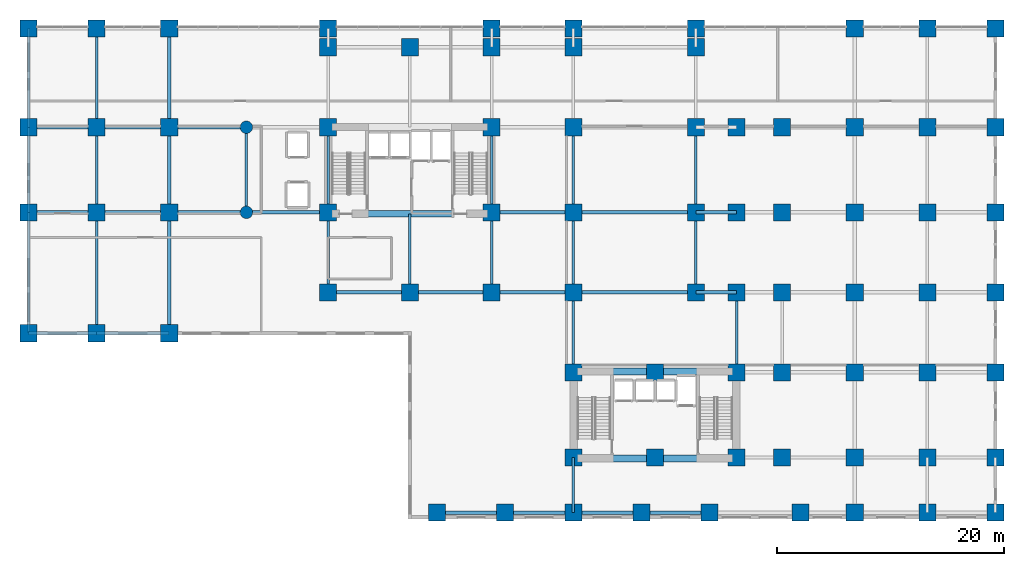
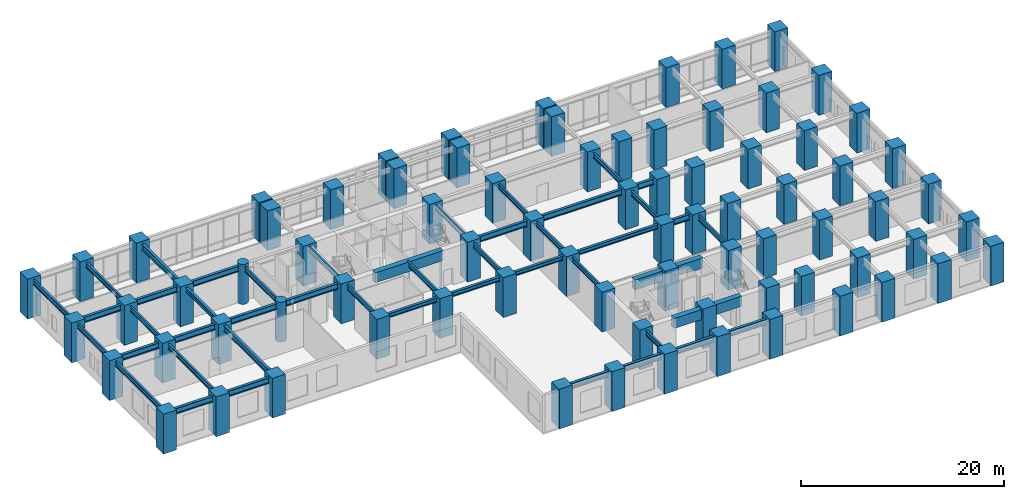
# One storey, part 1 of 22: 77 columns, 46 beams.
"""IFC4 building model written with IfcOpenShell, lengths in metres."""

from ifc_helpers import new_model, si_unit, direction, frame, origin, origin_2d, place, context, subcontext, project, spatial, rectangle, circle, i_section, extrude, source, transform, mapped, material, material_profile, profile_set, type_object, element, save


model = new_model("IFC4")

# Units and contexts
model_context = context("Model", 3, precision=1e-05, world=origin(), true_north=direction((0.0, 1.0)))
body_context = subcontext(model_context, "Body", "Model", "MODEL_VIEW")
ifc_project = project(units=[si_unit("LENGTHUNIT", "METRE"), si_unit("AREAUNIT", "SQUARE_METRE"), si_unit("VOLUMEUNIT", "CUBIC_METRE"), si_unit("PLANEANGLEUNIT", "RADIAN"), si_unit("MASSUNIT", "GRAM", prefix="KILO")], contexts=[model_context])

# Site, building, storey
site_placement = place(None, origin())
site = spatial("IfcSite", under=ifc_project, at=site_placement, CompositionType="ELEMENT")
building_placement = place(site_placement, origin())
building = spatial("IfcBuilding", under=site, at=building_placement, Name="Kaliganga Portal Commons", CompositionType="ELEMENT")
storey_placement = place(building_placement, frame((0.0, 0.0, 5.39990234375)))
storey = spatial("IfcBuildingStorey", under=building, at=storey_placement, Name="L01", CompositionType="ELEMENT", Elevation=5.39990234375)

# Columns
ifc_material_1 = material(Name="Concrete C60/75", Category="concrete")
ifc_material_profile_1 = material_profile(ifc_material_1, circle(Radius=0.550048828125, at=origin_2d()), Name="RC COL D1100")
ifc_profile_set_1 = profile_set([ifc_material_profile_1], Name="Concrete C60/75")
column_type_1 = type_object("IfcColumnType", Name="COL-POD-CIRC", PredefinedType="COLUMN", material=ifc_profile_set_1)
shared_shape_1 = source(origin(), body_context, "Body", "SweptSolid", [
    extrude(circle(Radius=0.550048828125, at=origin_2d()), origin(), (0.0, 0.0, 1.0), 4.800048828125),
])
for number, where, z_axis, x_axis, name in (
    (1, (7.199951171875, 28.64990234375, 0.0), (0.0, 0.0, 1.0), (1.0, 0.0, 0.0), "Column MC-07 L01"),
    (2, (7.199951171875, 36.14990234375, 0.0), (0.0, 0.0, 1.0), (1.0, 0.0, 0.0), "Column MC-07 L01"),
):
    element("IfcColumn", number, at=place(storey_placement, frame(where, z_axis=z_axis, x_axis=x_axis)), inside=storey, type_object=column_type_1, Name=name, PredefinedType="COLUMN", context=body_context, shape_type="MappedRepresentation", body=[
        mapped(shared_shape_1, transform((0.0, 0.0, 0.0), x_axis=(1.0, 0.0, 0.0), y_axis=(0.0, 1.0, 0.0), z_axis=(0.0, 0.0, 1.0), scale=1.0)),
    ])
ifc_material_2 = material(Name="Concrete C70/85", Category="concrete")
ifc_material_profile_2 = material_profile(ifc_material_2, rectangle(XDim=1.5, YDim=1.5, at=origin_2d()), Name="RC 1500x1500")
ifc_profile_set_2 = profile_set([ifc_material_profile_2], Name="Concrete C70/85")
column_type_2 = type_object("IfcColumnType", Name="COL-MEGA-Z0", PredefinedType="COLUMN", material=ifc_profile_set_2)
shared_shape_2 = source(origin(), body_context, "Body", "SweptSolid", [
    extrude(rectangle(XDim=1.5, YDim=1.5, at=origin_2d()), origin(), (0.0, 0.0, 1.0), 4.800048828125),
])
for number, where, z_axis, x_axis, name in (
    (3, (14.39990234375, 21.60009765625, 0.0), (0.0, 0.0, 1.0), (1.0, 0.0, 0.0), "Column MC-01 L01"),
    (4, (14.39990234375, 28.64990234375, 0.0), (0.0, 0.0, 1.0), (1.0, 0.0, 0.0), "Column MC-01 L01"),
    (5, (14.39990234375, 36.14990234375, 0.0), (0.0, 0.0, 1.0), (1.0, 0.0, 0.0), "Column MC-01 L01"),
    (6, (14.39990234375, 43.199951171875, 0.0), (0.0, 0.0, 1.0), (1.0, 0.0, 0.0), "Column MC-01 L01"),
    (7, (21.60009765625, 21.60009765625, 0.0), (0.0, 0.0, 1.0), (1.0, 0.0, 0.0), "Column MC-01 L01"),
    (8, (21.60009765625, 43.199951171875, 0.0), (0.0, 0.0, 1.0), (1.0, 0.0, 0.0), "Column MC-01 L01"),
    (9, (28.800048828125, 21.60009765625, 0.0), (0.0, 0.0, 1.0), (1.0, 0.0, 0.0), "Column MC-01 L01"),
    (10, (28.800048828125, 28.64990234375, 0.0), (0.0, 0.0, 1.0), (1.0, 0.0, 0.0), "Column MC-01 L01"),
    (11, (28.800048828125, 36.14990234375, 0.0), (0.0, 0.0, 1.0), (1.0, 0.0, 0.0), "Column MC-01 L01"),
    (12, (28.800048828125, 43.199951171875, 0.0), (0.0, 0.0, 1.0), (1.0, 0.0, 0.0), "Column MC-01 L01"),
    (13, (36.0, 21.60009765625, 0.0), (0.0, 0.0, 1.0), (1.0, 0.0, 0.0), "Column MC-01 L01"),
    (14, (36.0, 43.199951171875, 0.0), (0.0, 0.0, 1.0), (1.0, 0.0, 0.0), "Column MC-01 L01"),
    (15, (36.0, 28.64990234375, 0.0), (0.0, 0.0, 1.0), (1.0, 0.0, 0.0), "Column MC-01 L01"),
    (16, (36.0, 36.14990234375, 0.0), (0.0, 0.0, 1.0), (1.0, 0.0, 0.0), "Column MC-01 L01"),
    (17, (46.800048828125, 21.60009765625, 0.0), (0.0, 0.0, 1.0), (1.0, 0.0, 0.0), "Column MC-01 L01"),
    (18, (46.800048828125, 28.64990234375, 0.0), (0.0, 0.0, 1.0), (1.0, 0.0, 0.0), "Column MC-01 L01"),
    (19, (46.800048828125, 36.14990234375, 0.0), (0.0, 0.0, 1.0), (1.0, 0.0, 0.0), "Column MC-01 L01"),
    (20, (46.800048828125, 43.199951171875, 0.0), (0.0, 0.0, 1.0), (1.0, 0.0, 0.0), "Column MC-01 L01"),
    (21, (36.0, 7.050048828125, 0.0), (0.0, 0.0, 1.0), (1.0, 0.0, 0.0), "Column MC-01 L01"),
    (22, (36.0, 14.550048828125, 0.0), (0.0, 0.0, 1.0), (1.0, 0.0, 0.0), "Column MC-01 L01"),
    (23, (43.199951171875, 7.050048828125, 0.0), (0.0, 0.0, 1.0), (1.0, 0.0, 0.0), "Column MC-01 L01"),
    (24, (43.199951171875, 14.550048828125, 0.0), (0.0, 0.0, 1.0), (1.0, 0.0, 0.0), "Column MC-01 L01"),
    (25, (50.39990234375, 7.050048828125, 0.0), (0.0, 0.0, 1.0), (1.0, 0.0, 0.0), "Column MC-01 L01"),
    (26, (50.39990234375, 14.550048828125, 0.0), (0.0, 0.0, 1.0), (1.0, 0.0, 0.0), "Column MC-01 L01"),
    (27, (50.39990234375, 21.60009765625, 0.0), (0.0, 0.0, 1.0), (1.0, 0.0, 0.0), "Column MC-01 L01"),
    (28, (50.39990234375, 28.64990234375, 0.0), (0.0, 0.0, 1.0), (1.0, 0.0, 0.0), "Column MC-01 L01"),
    (29, (50.39990234375, 36.14990234375, 0.0), (0.0, 0.0, 1.0), (1.0, 0.0, 0.0), "Column MC-01 L01"),
    (30, (54.39990234375, 7.050048828125, 0.0), (0.0, 0.0, 1.0), (1.0, 0.0, 0.0), "Column MC-01 L01"),
    (31, (54.39990234375, 14.550048828125, 0.0), (0.0, 0.0, 1.0), (1.0, 0.0, 0.0), "Column MC-01 L01"),
    (32, (54.39990234375, 21.60009765625, 0.0), (0.0, 0.0, 1.0), (1.0, 0.0, 0.0), "Column MC-01 L01"),
    (33, (54.39990234375, 28.64990234375, 0.0), (0.0, 0.0, 1.0), (1.0, 0.0, 0.0), "Column MC-01 L01"),
    (34, (54.39990234375, 36.14990234375, 0.0), (0.0, 0.0, 1.0), (1.0, 0.0, 0.0), "Column MC-01 L01"),
    (35, (0.39990234375, 18.0, 0.0), (0.0, 0.0, 1.0), (1.0, 0.0, 0.0), "Column MC-01 L01"),
    (36, (0.39990234375, 28.64990234375, 0.0), (0.0, 0.0, 1.0), (1.0, 0.0, 0.0), "Column MC-01 L01"),
    (37, (0.39990234375, 36.14990234375, 0.0), (0.0, 0.0, 1.0), (1.0, 0.0, 0.0), "Column MC-01 L01"),
    (38, (0.39990234375, 44.85009765625, 0.0), (0.0, 0.0, 1.0), (1.0, 0.0, 0.0), "Column MC-01 L01"),
    (39, (14.39990234375, 44.85009765625, 0.0), (0.0, 0.0, 1.0), (1.0, 0.0, 0.0), "Column MC-01 L01"),
    (40, (28.800048828125, 44.85009765625, 0.0), (0.0, 0.0, 1.0), (1.0, 0.0, 0.0), "Column MC-01 L01"),
    (41, (36.0, 44.85009765625, 0.0), (0.0, 0.0, 1.0), (1.0, 0.0, 0.0), "Column MC-01 L01"),
    (42, (46.800048828125, 44.85009765625, 0.0), (0.0, 0.0, 1.0), (1.0, 0.0, 0.0), "Column MC-01 L01"),
    (43, (60.800048828125, 44.85009765625, 0.0), (0.0, 0.0, 1.0), (1.0, 0.0, 0.0), "Column MC-01 L01"),
    (44, (60.800048828125, 36.14990234375, 0.0), (0.0, 0.0, 1.0), (1.0, 0.0, 0.0), "Column MC-01 L01"),
    (45, (60.800048828125, 28.64990234375, 0.0), (0.0, 0.0, 1.0), (1.0, 0.0, 0.0), "Column MC-01 L01"),
    (46, (60.800048828125, 21.60009765625, 0.0), (0.0, 0.0, 1.0), (1.0, 0.0, 0.0), "Column MC-01 L01"),
    (47, (60.800048828125, 14.550048828125, 0.0), (0.0, 0.0, 1.0), (1.0, 0.0, 0.0), "Column MC-01 L01"),
    (48, (60.800048828125, 7.050048828125, 0.0), (0.0, 0.0, 1.0), (1.0, 0.0, 0.0), "Column MC-01 L01"),
    (49, (60.800048828125, 2.199951171875, 0.0), (0.0, 0.0, 1.0), (1.0, 0.0, 0.0), "Column MC-01 L01"),
    (50, (56.0, 2.199951171875, 0.0), (0.0, 0.0, 1.0), (1.0, 0.0, 0.0), "Column MC-01 L01"),
    (51, (48.0, 2.199951171875, 0.0), (0.0, 0.0, 1.0), (1.0, 0.0, 0.0), "Column MC-01 L01"),
    (52, (42.0, 2.199951171875, 0.0), (0.0, 0.0, 1.0), (1.0, 0.0, 0.0), "Column MC-01 L01"),
    (53, (36.0, 2.199951171875, 0.0), (0.0, 0.0, 1.0), (1.0, 0.0, 0.0), "Column MC-01 L01"),
    (54, (30.0, 2.199951171875, 0.0), (0.0, 0.0, 1.0), (1.0, 0.0, 0.0), "Column MC-01 L01"),
    (55, (24.0, 2.199951171875, 0.0), (0.0, 0.0, 1.0), (1.0, 0.0, 0.0), "Column MC-01 L01"),
    (56, (-12.0, 18.0, 0.0), (0.0, 0.0, 1.0), (1.0, 0.0, 0.0), "Column MC-01 L01"),
    (57, (-12.0, 28.64990234375, 0.0), (0.0, 0.0, 1.0), (1.0, 0.0, 0.0), "Column MC-01 L01"),
    (58, (-12.0, 36.14990234375, 0.0), (0.0, 0.0, 1.0), (1.0, 0.0, 0.0), "Column MC-01 L01"),
    (59, (-12.0, 44.85009765625, 0.0), (0.0, 0.0, 1.0), (1.0, 0.0, 0.0), "Column MC-01 L01"),
    (60, (-6.0, 18.0, 0.0), (0.0, 0.0, 1.0), (1.0, 0.0, 0.0), "Column MC-01 L01"),
    (61, (-6.0, 28.64990234375, 0.0), (0.0, 0.0, 1.0), (1.0, 0.0, 0.0), "Column MC-01 L01"),
    (62, (-6.0, 36.14990234375, 0.0), (0.0, 0.0, 1.0), (1.0, 0.0, 0.0), "Column MC-01 L01"),
    (63, (-6.0, 44.85009765625, 0.0), (0.0, 0.0, 1.0), (1.0, 0.0, 0.0), "Column MC-01 L01"),
    (64, (67.199951171875, 2.199951171875, 0.0), (0.0, 0.0, 1.0), (1.0, 0.0, 0.0), "Column MC-01 L01"),
    (65, (67.199951171875, 7.050048828125, 0.0), (0.0, 0.0, 1.0), (1.0, 0.0, 0.0), "Column MC-01 L01"),
    (66, (67.199951171875, 14.550048828125, 0.0), (0.0, 0.0, 1.0), (1.0, 0.0, 0.0), "Column MC-01 L01"),
    (67, (67.199951171875, 21.60009765625, 0.0), (0.0, 0.0, 1.0), (1.0, 0.0, 0.0), "Column MC-01 L01"),
    (68, (67.199951171875, 28.64990234375, 0.0), (0.0, 0.0, 1.0), (1.0, 0.0, 0.0), "Column MC-01 L01"),
    (69, (67.199951171875, 36.14990234375, 0.0), (0.0, 0.0, 1.0), (1.0, 0.0, 0.0), "Column MC-01 L01"),
    (70, (67.199951171875, 44.85009765625, 0.0), (0.0, 0.0, 1.0), (1.0, 0.0, 0.0), "Column MC-01 L01"),
    (71, (73.199951171875, 2.199951171875, 0.0), (0.0, 0.0, 1.0), (1.0, 0.0, 0.0), "Column MC-01 L01"),
    (72, (73.199951171875, 7.050048828125, 0.0), (0.0, 0.0, 1.0), (1.0, 0.0, 0.0), "Column MC-01 L01"),
    (73, (73.199951171875, 14.550048828125, 0.0), (0.0, 0.0, 1.0), (1.0, 0.0, 0.0), "Column MC-01 L01"),
    (74, (73.199951171875, 21.60009765625, 0.0), (0.0, 0.0, 1.0), (1.0, 0.0, 0.0), "Column MC-01 L01"),
    (75, (73.199951171875, 28.64990234375, 0.0), (0.0, 0.0, 1.0), (1.0, 0.0, 0.0), "Column MC-01 L01"),
    (76, (73.199951171875, 36.14990234375, 0.0), (0.0, 0.0, 1.0), (1.0, 0.0, 0.0), "Column MC-01 L01"),
    (77, (73.199951171875, 44.85009765625, 0.0), (0.0, 0.0, 1.0), (1.0, 0.0, 0.0), "Column MC-01 L01"),
):
    element("IfcColumn", number, at=place(storey_placement, frame(where, z_axis=z_axis, x_axis=x_axis)), inside=storey, type_object=column_type_2, Name=name, PredefinedType="COLUMN", context=body_context, shape_type="MappedRepresentation", body=[
        mapped(shared_shape_2, transform((0.0, 0.0, 0.0), x_axis=(1.0, 0.0, 0.0), y_axis=(0.0, 1.0, 0.0), z_axis=(0.0, 0.0, 1.0), scale=1.0)),
    ])

# Beams
ifc_material_profile_3 = material_profile(ifc_material_1, rectangle(XDim=0.60009765625, YDim=1.199951171875, at=origin_2d()), Name="RC 600x1200")
ifc_profile_set_3 = profile_set([ifc_material_profile_3], Name="Concrete C60/75")
beam_type_1 = type_object("IfcBeamType", Name="BM-CPL-1200", PredefinedType="LINTEL", material=ifc_profile_set_3)
shared_shape_3 = source(origin(), body_context, "Body", "SweptSolid", [
    extrude(rectangle(XDim=0.60009765625, YDim=1.199951171875, at=origin_2d()), origin(), (0.0, 0.0, 1.0), 7.739990234375),
])
for number, where, z_axis, x_axis, name in (
    (78, (17.72998046875, 28.52490234375, 3.920166015625), (1.0, 0.0, 0.0), (0.0, 1.0, 0.0), "BM CPL COREA L01 S"),
    (79, (39.330078125, 6.97509765625, 3.920166015625), (1.0, 0.0, 0.0), (0.0, 1.0, 0.0), "BM CPL COREB L01 S"),
    (80, (39.330078125, 14.625, 3.920166015625), (1.0, 0.0, 0.0), (0.0, 1.0, 0.0), "BM CPL COREB L01 N"),
):
    element("IfcBeam", number, at=place(storey_placement, frame(where, z_axis=z_axis, x_axis=x_axis)), inside=storey, type_object=beam_type_1, Name=name, PredefinedType="LINTEL", context=body_context, shape_type="MappedRepresentation", body=[
        mapped(shared_shape_3, transform((0.0, 0.0, 0.0), x_axis=(1.0, 0.0, 0.0), y_axis=(0.0, 1.0, 0.0), z_axis=(0.0, 0.0, 1.0), scale=1.0)),
    ])
ifc_material_3 = material(Name="Structural steel S355J2", Category="steel")
ifc_material_profile_4 = material_profile(ifc_material_3, i_section(OverallWidth=0.300048828125, OverallDepth=0.699951171875, WebThickness=0.01708984375, FlangeThickness=0.031982421875, FilletRadius=0.027099609375, at=origin_2d()), Name="HE 700 B")
ifc_profile_set_4 = profile_set([ifc_material_profile_4], Name="Structural steel S355J2 wide-flange")
beam_type_2 = type_object("IfcBeamType", Name="BM-GIRD-700", PredefinedType="USERDEFINED", material=ifc_profile_set_4)
shared_shape_4 = source(origin(), body_context, "Body", "SweptSolid", [
    extrude(i_section(OverallWidth=0.300048828125, OverallDepth=0.699951171875, WebThickness=0.01708984375, FlangeThickness=0.031982421875, FilletRadius=0.027099609375, at=origin_2d()), origin(), (0.0, 0.0, 1.0), 7.199951171875),
])
for number, where, z_axis, x_axis, name in (
    (81, (7.199951171875, 28.64990234375, 4.170166015625), (1.0, 0.0, 0.0), (0.0, 1.0, 0.0), "BM G L01 WAH_S 2"),
    (82, (28.800048828125, 28.64990234375, 4.170166015625), (1.0, 0.0, 0.0), (0.0, 1.0, 0.0), "BM G L01 WAE_S 1"),
):
    element("IfcBeam", number, at=place(storey_placement, frame(where, z_axis=z_axis, x_axis=x_axis)), inside=storey, type_object=beam_type_2, Name=name, ObjectType="GIRDER", PredefinedType="USERDEFINED", context=body_context, shape_type="MappedRepresentation", body=[
        mapped(shared_shape_4, transform((0.0, 0.0, 0.0), x_axis=(1.0, 0.0, 0.0), y_axis=(0.0, 1.0, 0.0), z_axis=(0.0, 0.0, 1.0), scale=1.0)),
    ])
shared_shape_5 = source(origin(), body_context, "Body", "SweptSolid", [
    extrude(i_section(OverallWidth=0.300048828125, OverallDepth=0.699951171875, WebThickness=0.01708984375, FlangeThickness=0.031982421875, FilletRadius=0.027099609375, at=origin_2d()), origin(), (0.0, 0.0, 1.0), 10.800048828125),
])
beam_1_placement = place(storey_placement, frame((36.0, 28.64990234375, 4.170166015625), z_axis=(1.0, 0.0, 0.0), x_axis=(0.0, 1.0, 0.0)))
element("IfcBeam", 83, at=beam_1_placement, inside=storey, type_object=beam_type_2, Name="BM G L01 WAE_S 2", ObjectType="GIRDER", PredefinedType="USERDEFINED", context=body_context, shape_type="MappedRepresentation", body=[
    mapped(shared_shape_5, transform((0.0, 0.0, 0.0), x_axis=(1.0, 0.0, 0.0), y_axis=(0.0, 1.0, 0.0), z_axis=(0.0, 0.0, 1.0), scale=1.0)),
])
shared_shape_6 = source(origin(), body_context, "Body", "SweptSolid", [
    extrude(i_section(OverallWidth=0.300048828125, OverallDepth=0.699951171875, WebThickness=0.01708984375, FlangeThickness=0.031982421875, FilletRadius=0.027099609375, at=origin_2d()), origin(), (0.0, 0.0, 1.0), 6.800048828125),
])
for number, where, z_axis, x_axis, name in (
    (84, (0.39990234375, 28.64990234375, 4.170166015625), (1.0, 0.0, 0.0), (0.0, 1.0, 0.0), "BM G L01 WAH_S 1"),
    (85, (0.39990234375, 36.14990234375, 4.170166015625), (1.0, 0.0, 0.0), (0.0, 1.0, 0.0), "BM G L01 WAH_N 1"),
):
    element("IfcBeam", number, at=place(storey_placement, frame(where, z_axis=z_axis, x_axis=x_axis)), inside=storey, type_object=beam_type_2, Name=name, ObjectType="GIRDER", PredefinedType="USERDEFINED", context=body_context, shape_type="MappedRepresentation", body=[
        mapped(shared_shape_6, transform((0.0, 0.0, 0.0), x_axis=(1.0, 0.0, 0.0), y_axis=(0.0, 1.0, 0.0), z_axis=(0.0, 0.0, 1.0), scale=1.0)),
    ])
ifc_material_profile_5 = material_profile(ifc_material_3, i_section(OverallWidth=0.219970703125, OverallDepth=0.60009765625, WebThickness=0.011962890625, FlangeThickness=0.01904296875, FilletRadius=0.02392578125, at=origin_2d()), Name="IPE 600")
ifc_profile_set_5 = profile_set([ifc_material_profile_5], Name="Structural steel S355J2 wide-flange")
beam_type_3 = type_object("IfcBeamType", Name="BM-FLR-600", PredefinedType="BEAM", material=ifc_profile_set_5)
shared_shape_7 = source(origin(), body_context, "Body", "SweptSolid", [
    extrude(i_section(OverallWidth=0.219970703125, OverallDepth=0.60009765625, WebThickness=0.011962890625, FlangeThickness=0.01904296875, FilletRadius=0.02392578125, at=origin_2d()), origin(), (0.0, 0.0, 1.0), 7.5),
])
for number, where, z_axis, x_axis, name in (
    (86, (7.199951171875, 28.64990234375, 4.22021484375), (0.0, 1.0, 0.0), (-1.0, 0.0, 0.0), "BM G L01 AW72"),
    (87, (14.39990234375, 28.64990234375, 4.22021484375), (0.0, 1.0, 0.0), (-1.0, 0.0, 0.0), "BM G L01 AM144"),
    (88, (28.800048828125, 28.64990234375, 4.22021484375), (0.0, 1.0, 0.0), (-1.0, 0.0, 0.0), "BM G L01 AM288"),
    (89, (36.0, 28.64990234375, 4.22021484375), (0.0, 1.0, 0.0), (-1.0, 0.0, 0.0), "BM G L01 AM360"),
    (90, (46.800048828125, 28.64990234375, 4.22021484375), (0.0, 1.0, 0.0), (-1.0, 0.0, 0.0), "BM G L01 AM468"),
    (91, (-12.0, 28.64990234375, 4.22021484375), (0.0, 1.0, 0.0), (-1.0, 0.0, 0.0), "BM PODW L01 X12 2"),
    (92, (-6.0, 28.64990234375, 4.22021484375), (0.0, 1.0, 0.0), (-1.0, 0.0, 0.0), "BM PODW L01 X6 2"),
):
    element("IfcBeam", number, at=place(storey_placement, frame(where, z_axis=z_axis, x_axis=x_axis)), inside=storey, type_object=beam_type_3, Name=name, PredefinedType="BEAM", context=body_context, shape_type="MappedRepresentation", body=[
        mapped(shared_shape_7, transform((0.0, 0.0, 0.0), x_axis=(1.0, 0.0, 0.0), y_axis=(0.0, 1.0, 0.0), z_axis=(0.0, 0.0, 1.0), scale=1.0)),
    ])
shared_shape_8 = source(origin(), body_context, "Body", "SweptSolid", [
    extrude(i_section(OverallWidth=0.219970703125, OverallDepth=0.60009765625, WebThickness=0.011962890625, FlangeThickness=0.01904296875, FilletRadius=0.02392578125, at=origin_2d()), origin(), (0.0, 0.0, 1.0), 7.050048828125),
])
for number, where, z_axis, x_axis, name in (
    (93, (36.0, 14.550048828125, 4.22021484375), (0.0, 1.0, 0.0), (-1.0, 0.0, 0.0), "BM G L01 BNK360"),
    (94, (50.39990234375, 14.550048828125, 4.22021484375), (0.0, 1.0, 0.0), (-1.0, 0.0, 0.0), "BM G L01 BNK504"),
):
    element("IfcBeam", number, at=place(storey_placement, frame(where, z_axis=z_axis, x_axis=x_axis)), inside=storey, type_object=beam_type_3, Name=name, PredefinedType="BEAM", context=body_context, shape_type="MappedRepresentation", body=[
        mapped(shared_shape_8, transform((0.0, 0.0, 0.0), x_axis=(1.0, 0.0, 0.0), y_axis=(0.0, 1.0, 0.0), z_axis=(0.0, 0.0, 1.0), scale=1.0)),
    ])
shared_shape_9 = source(origin(), body_context, "Body", "SweptSolid", [
    extrude(i_section(OverallWidth=0.219970703125, OverallDepth=0.60009765625, WebThickness=0.011962890625, FlangeThickness=0.01904296875, FilletRadius=0.02392578125, at=origin_2d()), origin(), (0.0, 0.0, 1.0), 7.0498046875),
])
for number, where, z_axis, x_axis, name in (
    (95, (14.39990234375, 21.60009765625, 4.22021484375), (0.0, 1.0, 0.0), (-1.0, 0.0, 0.0), "BM G L01 AS144"),
    (96, (28.800048828125, 21.60009765625, 4.22021484375), (0.0, 1.0, 0.0), (-1.0, 0.0, 0.0), "BM G L01 AS288"),
    (97, (36.0, 21.60009765625, 4.22021484375), (0.0, 1.0, 0.0), (-1.0, 0.0, 0.0), "BM G L01 AS360"),
    (98, (46.800048828125, 21.60009765625, 4.22021484375), (0.0, 1.0, 0.0), (-1.0, 0.0, 0.0), "BM G L01 AS468"),
):
    element("IfcBeam", number, at=place(storey_placement, frame(where, z_axis=z_axis, x_axis=x_axis)), inside=storey, type_object=beam_type_3, Name=name, PredefinedType="BEAM", context=body_context, shape_type="MappedRepresentation", body=[
        mapped(shared_shape_9, transform((0.0, 0.0, 0.0), x_axis=(1.0, 0.0, 0.0), y_axis=(0.0, 1.0, 0.0), z_axis=(0.0, 0.0, 1.0), scale=1.0)),
    ])
shared_shape_10 = source(origin(), body_context, "Body", "SweptSolid", [
    extrude(i_section(OverallWidth=0.219970703125, OverallDepth=0.60009765625, WebThickness=0.011962890625, FlangeThickness=0.01904296875, FilletRadius=0.02392578125, at=origin_2d()), origin(), (0.0, 0.0, 1.0), 6.9248046875),
])
beam_2_placement = place(storey_placement, frame((21.60009765625, 21.60009765625, 4.22021484375), z_axis=(0.0, 1.0, 0.0), x_axis=(-1.0, 0.0, 0.0)))
element("IfcBeam", 99, at=beam_2_placement, inside=storey, type_object=beam_type_3, Name="BM G L01 AS216", PredefinedType="BEAM", context=body_context, shape_type="MappedRepresentation", body=[
    mapped(shared_shape_10, transform((0.0, 0.0, 0.0), x_axis=(1.0, 0.0, 0.0), y_axis=(0.0, 1.0, 0.0), z_axis=(0.0, 0.0, 1.0), scale=1.0)),
])
shared_shape_11 = source(origin(), body_context, "Body", "SweptSolid", [
    extrude(i_section(OverallWidth=0.300048828125, OverallDepth=0.699951171875, WebThickness=0.01708984375, FlangeThickness=0.031982421875, FilletRadius=0.027099609375, at=origin_2d()), origin(), (0.0, 0.0, 1.0), 3.599853515625),
])
for number, where, z_axis, x_axis, name in (
    (100, (46.800048828125, 21.60009765625, 4.170166015625), (1.0, 0.0, 0.0), (0.0, 1.0, 0.0), "BM G L01 BKE216 1"),
    (101, (46.800048828125, 28.64990234375, 4.170166015625), (1.0, 0.0, 0.0), (0.0, 1.0, 0.0), "BM G L01 BKE286 1"),
):
    element("IfcBeam", number, at=place(storey_placement, frame(where, z_axis=z_axis, x_axis=x_axis)), inside=storey, type_object=beam_type_2, Name=name, ObjectType="GIRDER", PredefinedType="USERDEFINED", context=body_context, shape_type="MappedRepresentation", body=[
        mapped(shared_shape_11, transform((0.0, 0.0, 0.0), x_axis=(1.0, 0.0, 0.0), y_axis=(0.0, 1.0, 0.0), z_axis=(0.0, 0.0, 1.0), scale=1.0)),
    ])
shared_shape_12 = source(origin(), body_context, "Body", "SweptSolid", [
    extrude(i_section(OverallWidth=0.300048828125, OverallDepth=0.699951171875, WebThickness=0.01708984375, FlangeThickness=0.031982421875, FilletRadius=0.027099609375, at=origin_2d()), origin(), (0.0, 0.0, 1.0), 10.64990234375),
])
beam_3_placement = place(storey_placement, frame((0.39990234375, 18.0, 4.170166015625), z_axis=(0.0, 1.0, 0.0), x_axis=(-1.0, 0.0, 0.0)))
element("IfcBeam", 102, at=beam_3_placement, inside=storey, type_object=beam_type_2, Name="BM PODP L01 W04 1", ObjectType="GIRDER", PredefinedType="USERDEFINED", context=body_context, shape_type="MappedRepresentation", body=[
    mapped(shared_shape_12, transform((0.0, 0.0, 0.0), x_axis=(1.0, 0.0, 0.0), y_axis=(0.0, 1.0, 0.0), z_axis=(0.0, 0.0, 1.0), scale=1.0)),
])
shared_shape_13 = source(origin(), body_context, "Body", "SweptSolid", [
    extrude(i_section(OverallWidth=0.300048828125, OverallDepth=0.699951171875, WebThickness=0.01708984375, FlangeThickness=0.031982421875, FilletRadius=0.027099609375, at=origin_2d()), origin(), (0.0, 0.0, 1.0), 8.7001953125),
])
beam_4_placement = place(storey_placement, frame((0.39990234375, 36.14990234375, 4.170166015625), z_axis=(0.0, 1.0, 0.0), x_axis=(-1.0, 0.0, 0.0)))
element("IfcBeam", 103, at=beam_4_placement, inside=storey, type_object=beam_type_2, Name="BM PODP L01 W04 3", ObjectType="GIRDER", PredefinedType="USERDEFINED", context=body_context, shape_type="MappedRepresentation", body=[
    mapped(shared_shape_13, transform((0.0, 0.0, 0.0), x_axis=(1.0, 0.0, 0.0), y_axis=(0.0, 1.0, 0.0), z_axis=(0.0, 0.0, 1.0), scale=1.0)),
])
shared_shape_14 = source(origin(), body_context, "Body", "SweptSolid", [
    extrude(i_section(OverallWidth=0.300048828125, OverallDepth=0.699951171875, WebThickness=0.01708984375, FlangeThickness=0.031982421875, FilletRadius=0.027099609375, at=origin_2d()), origin(), (0.0, 0.0, 1.0), 6.0),
])
for number, where, z_axis, x_axis, name in (
    (104, (24.0, 2.199951171875, 4.170166015625), (1.0, 0.0, 0.0), (0.0, 1.0, 0.0), "BM PODP L01 S02 1"),
    (105, (30.0, 2.199951171875, 4.170166015625), (1.0, 0.0, 0.0), (0.0, 1.0, 0.0), "BM PODP L01 S02 2"),
    (106, (36.0, 2.199951171875, 4.170166015625), (1.0, 0.0, 0.0), (0.0, 1.0, 0.0), "BM PODP L01 S02 3"),
    (107, (42.0, 2.199951171875, 4.170166015625), (1.0, 0.0, 0.0), (0.0, 1.0, 0.0), "BM PODP L01 S02 4"),
    (108, (-12.0, 18.0, 4.170166015625), (1.0, 0.0, 0.0), (0.0, 1.0, 0.0), "BM PODW L01 Y18 1"),
    (109, (-12.0, 28.64990234375, 4.170166015625), (1.0, 0.0, 0.0), (0.0, 1.0, 0.0), "BM PODW L01 Y28 1"),
    (110, (-12.0, 36.14990234375, 4.170166015625), (1.0, 0.0, 0.0), (0.0, 1.0, 0.0), "BM PODW L01 Y36 1"),
):
    element("IfcBeam", number, at=place(storey_placement, frame(where, z_axis=z_axis, x_axis=x_axis)), inside=storey, type_object=beam_type_2, Name=name, ObjectType="GIRDER", PredefinedType="USERDEFINED", context=body_context, shape_type="MappedRepresentation", body=[
        mapped(shared_shape_14, transform((0.0, 0.0, 0.0), x_axis=(1.0, 0.0, 0.0), y_axis=(0.0, 1.0, 0.0), z_axis=(0.0, 0.0, 1.0), scale=1.0)),
    ])
shared_shape_15 = source(origin(), body_context, "Body", "SweptSolid", [
    extrude(i_section(OverallWidth=0.219970703125, OverallDepth=0.60009765625, WebThickness=0.011962890625, FlangeThickness=0.01904296875, FilletRadius=0.02392578125, at=origin_2d()), origin(), (0.0, 0.0, 1.0), 4.85009765625),
])
beam_5_placement = place(storey_placement, frame((36.0, 2.199951171875, 4.22021484375), z_axis=(0.0, 1.0, 0.0), x_axis=(-1.0, 0.0, 0.0)))
element("IfcBeam", 111, at=beam_5_placement, inside=storey, type_object=beam_type_3, Name="BM PODP L01 ST36", PredefinedType="BEAM", context=body_context, shape_type="MappedRepresentation", body=[
    mapped(shared_shape_15, transform((0.0, 0.0, 0.0), x_axis=(1.0, 0.0, 0.0), y_axis=(0.0, 1.0, 0.0), z_axis=(0.0, 0.0, 1.0), scale=1.0)),
])
shared_shape_16 = source(origin(), body_context, "Body", "SweptSolid", [
    extrude(i_section(OverallWidth=0.300048828125, OverallDepth=0.699951171875, WebThickness=0.01708984375, FlangeThickness=0.031982421875, FilletRadius=0.027099609375, at=origin_2d()), origin(), (0.0, 0.0, 1.0), 6.39990234375),
])
for number, where, z_axis, x_axis, name in (
    (112, (-6.0, 18.0, 4.170166015625), (1.0, 0.0, 0.0), (0.0, 1.0, 0.0), "BM PODW L01 Y18 2"),
    (113, (-6.0, 28.64990234375, 4.170166015625), (1.0, 0.0, 0.0), (0.0, 1.0, 0.0), "BM PODW L01 Y28 2"),
    (114, (-6.0, 36.14990234375, 4.170166015625), (1.0, 0.0, 0.0), (0.0, 1.0, 0.0), "BM PODW L01 Y36 2"),
):
    element("IfcBeam", number, at=place(storey_placement, frame(where, z_axis=z_axis, x_axis=x_axis)), inside=storey, type_object=beam_type_2, Name=name, ObjectType="GIRDER", PredefinedType="USERDEFINED", context=body_context, shape_type="MappedRepresentation", body=[
        mapped(shared_shape_16, transform((0.0, 0.0, 0.0), x_axis=(1.0, 0.0, 0.0), y_axis=(0.0, 1.0, 0.0), z_axis=(0.0, 0.0, 1.0), scale=1.0)),
    ])
shared_shape_17 = source(origin(), body_context, "Body", "SweptSolid", [
    extrude(i_section(OverallWidth=0.219970703125, OverallDepth=0.60009765625, WebThickness=0.011962890625, FlangeThickness=0.01904296875, FilletRadius=0.02392578125, at=origin_2d()), origin(), (0.0, 0.0, 1.0), 10.64990234375),
])
for number, where, z_axis, x_axis, name in (
    (115, (-12.0, 18.0, 4.22021484375), (0.0, 1.0, 0.0), (-1.0, 0.0, 0.0), "BM PODW L01 X12 1"),
    (116, (-6.0, 18.0, 4.22021484375), (0.0, 1.0, 0.0), (-1.0, 0.0, 0.0), "BM PODW L01 X6 1"),
):
    element("IfcBeam", number, at=place(storey_placement, frame(where, z_axis=z_axis, x_axis=x_axis)), inside=storey, type_object=beam_type_3, Name=name, PredefinedType="BEAM", context=body_context, shape_type="MappedRepresentation", body=[
        mapped(shared_shape_17, transform((0.0, 0.0, 0.0), x_axis=(1.0, 0.0, 0.0), y_axis=(0.0, 1.0, 0.0), z_axis=(0.0, 0.0, 1.0), scale=1.0)),
    ])
shared_shape_18 = source(origin(), body_context, "Body", "SweptSolid", [
    extrude(i_section(OverallWidth=0.219970703125, OverallDepth=0.60009765625, WebThickness=0.011962890625, FlangeThickness=0.01904296875, FilletRadius=0.02392578125, at=origin_2d()), origin(), (0.0, 0.0, 1.0), 8.7001953125),
])
for number, where, z_axis, x_axis, name in (
    (117, (-12.0, 36.14990234375, 4.22021484375), (0.0, 1.0, 0.0), (-1.0, 0.0, 0.0), "BM PODW L01 X12 3"),
    (118, (-6.0, 36.14990234375, 4.22021484375), (0.0, 1.0, 0.0), (-1.0, 0.0, 0.0), "BM PODW L01 X6 3"),
):
    element("IfcBeam", number, at=place(storey_placement, frame(where, z_axis=z_axis, x_axis=x_axis)), inside=storey, type_object=beam_type_3, Name=name, PredefinedType="BEAM", context=body_context, shape_type="MappedRepresentation", body=[
        mapped(shared_shape_18, transform((0.0, 0.0, 0.0), x_axis=(1.0, 0.0, 0.0), y_axis=(0.0, 1.0, 0.0), z_axis=(0.0, 0.0, 1.0), scale=1.0)),
    ])
ifc_material_profile_6 = material_profile(ifc_material_3, i_section(OverallWidth=0.300048828125, OverallDepth=0.5, WebThickness=0.014404296875, FlangeThickness=0.028076171875, FilletRadius=0.027099609375, at=origin_2d()), Name="HE 500 B")
ifc_profile_set_6 = profile_set([ifc_material_profile_6], Name="Structural steel S355J2 wide-flange")
beam_type_4 = type_object("IfcBeamType", Name="BM-SPAND-500", PredefinedType="SPANDREL", material=ifc_profile_set_6)
shared_shape_19 = source(origin(), body_context, "Body", "SweptSolid", [
    extrude(i_section(OverallWidth=0.300048828125, OverallDepth=0.5, WebThickness=0.014404296875, FlangeThickness=0.028076171875, FilletRadius=0.027099609375, at=origin_2d()), origin(), (0.0, 0.0, 1.0), 7.2001953125),
])
beam_6_placement = place(storey_placement, frame((14.39990234375, 21.60009765625, 4.27001953125), z_axis=(1.0, 0.0, 0.0), x_axis=(0.0, 1.0, 0.0)))
element("IfcBeam", 119, at=beam_6_placement, inside=storey, type_object=beam_type_4, Name="BM SP L01 AS 1", PredefinedType="SPANDREL", context=body_context, shape_type="MappedRepresentation", body=[
    mapped(shared_shape_19, transform((0.0, 0.0, 0.0), x_axis=(1.0, 0.0, 0.0), y_axis=(0.0, 1.0, 0.0), z_axis=(0.0, 0.0, 1.0), scale=1.0)),
])
shared_shape_20 = source(origin(), body_context, "Body", "SweptSolid", [
    extrude(i_section(OverallWidth=0.300048828125, OverallDepth=0.5, WebThickness=0.014404296875, FlangeThickness=0.028076171875, FilletRadius=0.027099609375, at=origin_2d()), origin(), (0.0, 0.0, 1.0), 7.199951171875),
])
for number, where, z_axis, x_axis, name in (
    (120, (21.60009765625, 21.60009765625, 4.27001953125), (1.0, 0.0, 0.0), (0.0, 1.0, 0.0), "BM SP L01 AS 2"),
    (121, (28.800048828125, 21.60009765625, 4.27001953125), (1.0, 0.0, 0.0), (0.0, 1.0, 0.0), "BM SP L01 AS 3"),
):
    element("IfcBeam", number, at=place(storey_placement, frame(where, z_axis=z_axis, x_axis=x_axis)), inside=storey, type_object=beam_type_4, Name=name, PredefinedType="SPANDREL", context=body_context, shape_type="MappedRepresentation", body=[
        mapped(shared_shape_20, transform((0.0, 0.0, 0.0), x_axis=(1.0, 0.0, 0.0), y_axis=(0.0, 1.0, 0.0), z_axis=(0.0, 0.0, 1.0), scale=1.0)),
    ])
shared_shape_21 = source(origin(), body_context, "Body", "SweptSolid", [
    extrude(i_section(OverallWidth=0.300048828125, OverallDepth=0.5, WebThickness=0.014404296875, FlangeThickness=0.028076171875, FilletRadius=0.027099609375, at=origin_2d()), origin(), (0.0, 0.0, 1.0), 10.800048828125),
])
beam_7_placement = place(storey_placement, frame((36.0, 21.60009765625, 4.27001953125), z_axis=(1.0, 0.0, 0.0), x_axis=(0.0, 1.0, 0.0)))
element("IfcBeam", 122, at=beam_7_placement, inside=storey, type_object=beam_type_4, Name="BM SP L01 AS 4", PredefinedType="SPANDREL", context=body_context, shape_type="MappedRepresentation", body=[
    mapped(shared_shape_21, transform((0.0, 0.0, 0.0), x_axis=(1.0, 0.0, 0.0), y_axis=(0.0, 1.0, 0.0), z_axis=(0.0, 0.0, 1.0), scale=1.0)),
])
shared_shape_22 = source(origin(), body_context, "Body", "SweptSolid", [
    extrude(i_section(OverallWidth=0.300048828125, OverallDepth=0.5, WebThickness=0.014404296875, FlangeThickness=0.028076171875, FilletRadius=0.027099609375, at=origin_2d()), origin(), (0.0, 0.0, 1.0), 7.5),
])
beam_8_placement = place(storey_placement, frame((0.39990234375, 28.64990234375, 4.27001953125), z_axis=(0.0, 1.0, 0.0), x_axis=(-1.0, 0.0, 0.0)))
element("IfcBeam", 123, at=beam_8_placement, inside=storey, type_object=beam_type_4, Name="BM SP L01 AW", PredefinedType="SPANDREL", context=body_context, shape_type="MappedRepresentation", body=[
    mapped(shared_shape_22, transform((0.0, 0.0, 0.0), x_axis=(1.0, 0.0, 0.0), y_axis=(0.0, 1.0, 0.0), z_axis=(0.0, 0.0, 1.0), scale=1.0)),
])

save(model, "model.ifc")
